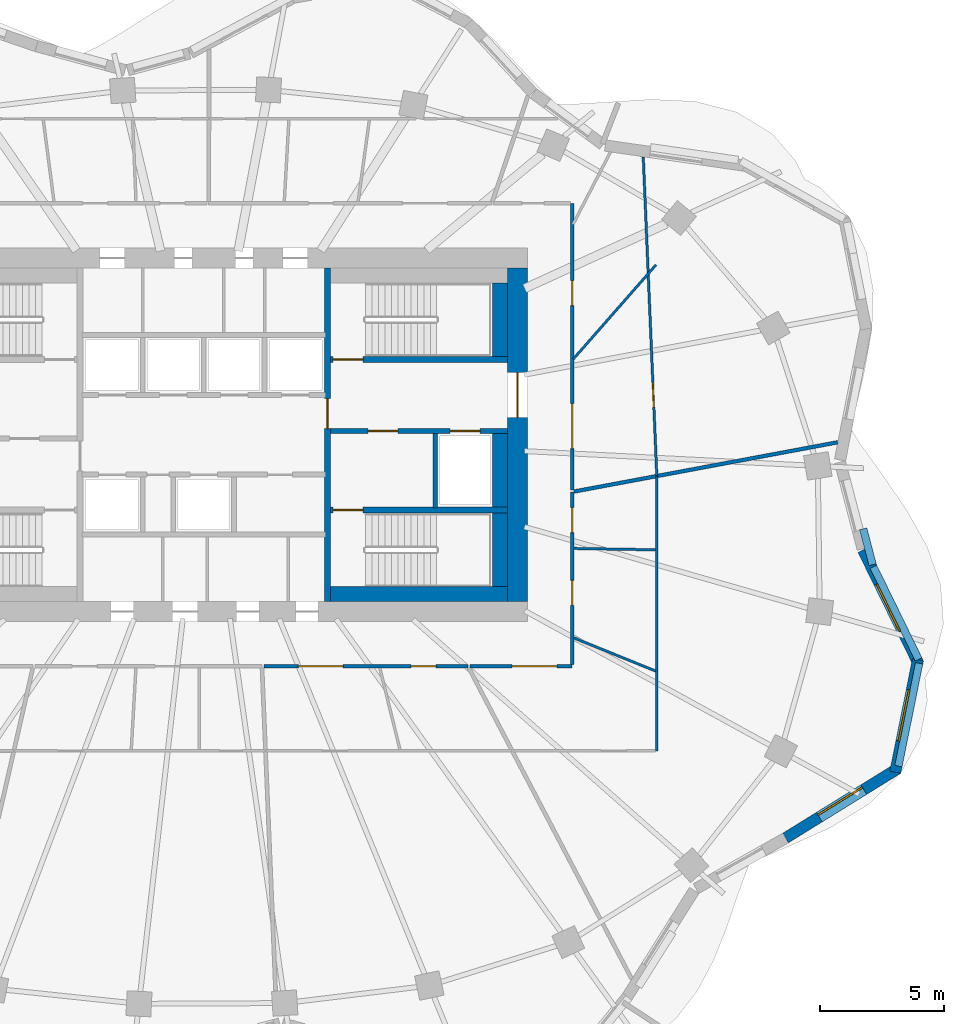
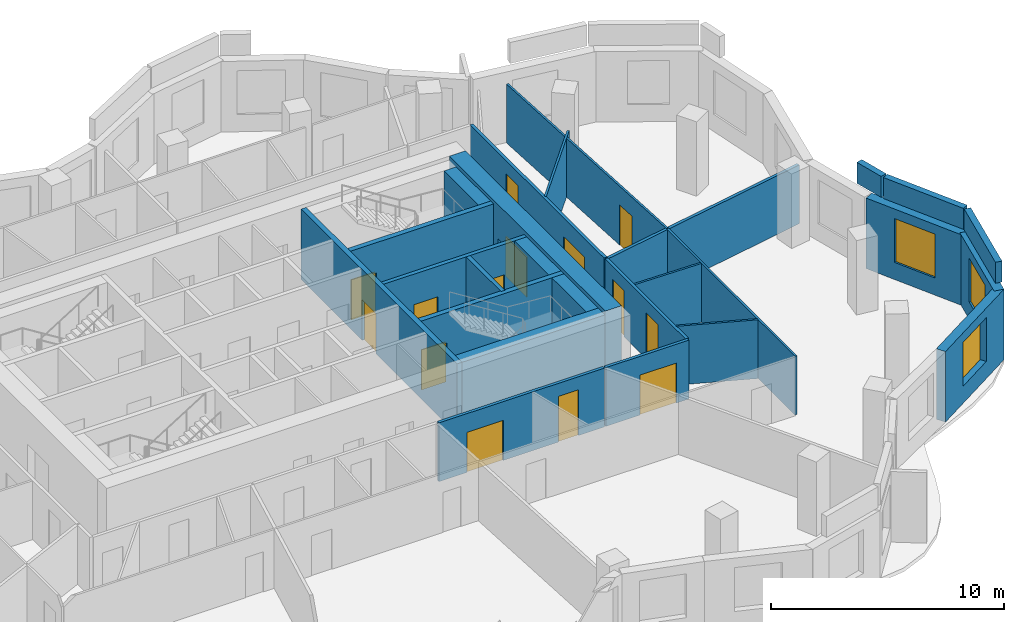
# One storey, part 6 of 10: 26 walls, 14 doors, 3 windows, 17 openings.
"""IFC4 building model written with IfcOpenShell, lengths in metres."""

from ifc_helpers import new_model, si_unit, direction, frame, frame_2d, origin, place, context, subcontext, project, spatial, rectangle, extrude, material, layer, layer_set, type_object, element, fill, save


model = new_model("IFC4")

# Units and contexts
model_context = context("Model", 3, precision=1e-05, world=origin(), true_north=direction((0.0, 1.0)))
body_context = subcontext(model_context, "Body", "Model", "MODEL_VIEW")
ifc_project = project(units=[si_unit("LENGTHUNIT", "METRE"), si_unit("AREAUNIT", "SQUARE_METRE"), si_unit("VOLUMEUNIT", "CUBIC_METRE"), si_unit("PLANEANGLEUNIT", "RADIAN"), si_unit("MASSUNIT", "GRAM", prefix="KILO")], contexts=[model_context])

# Site, building, storey
site_placement = place(None, origin())
site = spatial("IfcSite", under=ifc_project, at=site_placement, CompositionType="ELEMENT")
building_placement = place(site_placement, origin())
building = spatial("IfcBuilding", under=site, at=building_placement, Name="Rubra Terraces Tower", CompositionType="ELEMENT")
storey_placement = place(building_placement, frame((0.0, 0.0, 256.5)))
storey = spatial("IfcBuildingStorey", under=building, at=storey_placement, Name="L63", CompositionType="ELEMENT", Elevation=256.5)

# Wall, opening, window
ifc_material_1 = material(Name="Brick masonry red-brown", Category="masonry")
ifc_layer_1 = layer(ifc_material_1, 0.449951171875)
ifc_layer_set_1 = layer_set([ifc_layer_1], Name="Brick masonry red-brown")
wall_type_1 = type_object("IfcWallType", Name="Brick facade wall 450", PredefinedType="SOLIDWALL", material=ifc_layer_set_1)
wall_1_placement = place(storey_placement, frame((23.368408203125, -11.700927734375, 0.0), z_axis=(0.0, 0.0, 1.0), x_axis=(0.850251408633, 0.526376806211, 0.0)))
wall_1 = element("IfcWall", 1, at=wall_1_placement, inside=storey, type_object=wall_type_1, Name="Facade wall L63 bay 38", PredefinedType="SOLIDWALL", context=body_context, shape_type="SweptSolid", body=[
    extrude(rectangle(XDim=5.30224609375, YDim=0.449951171875, at=frame_2d((2.651123046875, 0.0))), origin(), (0.0, 0.0, 1.0), 3.699951171875),
])
opening_1_placement = place(wall_1_placement, frame((1.601318359375, 0.0, 0.89990234375)))
opening_1 = element("IfcOpeningElement", 2, at=opening_1_placement, cuts=wall_1, Name="Opening W1B", PredefinedType="OPENING", context=body_context, shape_type="SweptSolid", body=[
    extrude(rectangle(XDim=2.10009765625, YDim=2.300048828125, at=frame_2d((1.050048828125, 1.14990234375))), frame((0.0, 0.23486328125, 0.0), z_axis=(0.0, -1.0, 0.0), x_axis=(1.0, 0.0, 0.0)), (0.0, 0.0, 1.0), 0.469970703125),
])
ifc_material_2 = material(Name="Clear glass in aluminium frame", Category="aluminium")
window_type = type_object("IfcWindowType", Name="Fixed deep-set window tall storey 2100 x 2300", PartitioningType="SINGLE_PANEL", PredefinedType="WINDOW", material=ifc_material_2)
window_1_placement = place(opening_1_placement, origin())
window_1 = element("IfcWindow", 3, at=window_1_placement, inside=storey, type_object=window_type, Name="Window L63 bay 38", OverallHeight=2.300048828125, OverallWidth=2.10009765625, PartitioningType="SINGLE_PANEL", PredefinedType="WINDOW", context=body_context, shape_type="SweptSolid", body=[
    extrude(rectangle(XDim=2.10009765625, YDim=2.300048828125, at=frame_2d((1.050048828125, 1.14990234375))), frame((0.0, 0.135009765625, 0.0), z_axis=(0.0, -1.0, 0.0), x_axis=(1.0, 0.0, 0.0)), (0.0, 0.0, 1.0), 0.06005859375),
])
fill(opening_1, window_1)

wall_2_placement = place(storey_placement, frame((27.779541015625, -9.053466796875, 0.0), z_axis=(0.0, 0.0, 1.0), x_axis=(0.197796229105, 0.980243159503, 0.0)))
wall_2 = element("IfcWall", 4, at=wall_2_placement, inside=storey, type_object=wall_type_1, Name="Facade wall L63 bay 39", PredefinedType="SOLIDWALL", context=body_context, shape_type="SweptSolid", body=[
    extrude(rectangle(XDim=4.610107421875, YDim=0.449951171875, at=frame_2d((2.30517578125, 0.0))), origin(), (0.0, 0.0, 1.0), 3.699951171875),
])
opening_2_placement = place(wall_2_placement, frame((1.255126953125, 0.0, 0.89990234375)))
opening_2 = element("IfcOpeningElement", 5, at=opening_2_placement, cuts=wall_2, Name="Opening W1B", PredefinedType="OPENING", context=body_context, shape_type="SweptSolid", body=[
    extrude(rectangle(XDim=2.10009765625, YDim=2.300048828125, at=frame_2d((1.050048828125, 1.14990234375))), frame((0.0, 0.23486328125, 0.0), z_axis=(0.0, -1.0, 0.0), x_axis=(1.0, 0.0, 0.0)), (0.0, 0.0, 1.0), 0.469970703125),
])
window_2_placement = place(opening_2_placement, origin())
window_2 = element("IfcWindow", 6, at=window_2_placement, inside=storey, type_object=window_type, Name="Window L63 bay 39", OverallHeight=2.300048828125, OverallWidth=2.10009765625, PartitioningType="SINGLE_PANEL", PredefinedType="WINDOW", context=body_context, shape_type="SweptSolid", body=[
    extrude(rectangle(XDim=2.10009765625, YDim=2.300048828125, at=frame_2d((1.050048828125, 1.14990234375))), frame((0.0, 0.135009765625, 0.0), z_axis=(0.0, -1.0, 0.0), x_axis=(1.0, 0.0, 0.0)), (0.0, 0.0, 1.0), 0.06005859375),
])
fill(opening_2, window_2)

wall_3_placement = place(storey_placement, frame((28.70703125, -4.672119140625, 0.0), z_axis=(0.0, 0.0, 1.0), x_axis=(-0.439053549989, 0.898460895221, 0.0)))
wall_3 = element("IfcWall", 7, at=wall_3_placement, inside=storey, type_object=wall_type_1, Name="Facade wall L63 bay 40", PredefinedType="SOLIDWALL", context=body_context, shape_type="SweptSolid", body=[
    extrude(rectangle(XDim=5.061767578125, YDim=0.449951171875, at=frame_2d((2.53076171875, 0.0))), origin(), (0.0, 0.0, 1.0), 3.699951171875),
])
opening_3_placement = place(wall_3_placement, frame((1.48095703125, 0.0, 0.89990234375)))
opening_3 = element("IfcOpeningElement", 8, at=opening_3_placement, cuts=wall_3, Name="Opening W1B", PredefinedType="OPENING", context=body_context, shape_type="SweptSolid", body=[
    extrude(rectangle(XDim=2.10009765625, YDim=2.300048828125, at=frame_2d((1.050048828125, 1.14990234375))), frame((0.0, 0.23486328125, 0.0), z_axis=(0.0, -1.0, 0.0), x_axis=(1.0, 0.0, 0.0)), (0.0, 0.0, 1.0), 0.469970703125),
])
window_3_placement = place(opening_3_placement, origin())
window_3 = element("IfcWindow", 9, at=window_3_placement, inside=storey, type_object=window_type, Name="Window L63 bay 40", OverallHeight=2.300048828125, OverallWidth=2.10009765625, PartitioningType="SINGLE_PANEL", PredefinedType="WINDOW", context=body_context, shape_type="SweptSolid", body=[
    extrude(rectangle(XDim=2.10009765625, YDim=2.300048828125, at=frame_2d((1.050048828125, 1.14990234375))), frame((0.0, 0.135009765625, 0.0), z_axis=(0.0, -1.0, 0.0), x_axis=(1.0, 0.0, 0.0)), (0.0, 0.0, 1.0), 0.06005859375),
])
fill(opening_3, window_3)

# Walls
ifc_layer_2 = layer(ifc_material_1, 0.300048828125)
ifc_layer_set_2 = layer_set([ifc_layer_2], Name="Brick masonry red-brown")
wall_type_2 = type_object("IfcWallType", Name="Brick parapet 300", PredefinedType="PARAPET", material=ifc_layer_set_2)
wall_4_placement = place(storey_placement, frame((26.869140625, -0.72021484375, 3.89990234375), z_axis=(0.0, 0.0, 1.0), x_axis=(-0.252455198803, 0.967608584396, 0.0)))
element("IfcWall", 10, at=wall_4_placement, inside=storey, type_object=wall_type_2, Name="Parapet L63 bay 1", PredefinedType="PARAPET", context=body_context, shape_type="SweptSolid", body=[
    extrude(rectangle(XDim=1.4921875, YDim=0.300048828125, at=frame_2d((0.74609375, 0.0))), origin(), (0.0, 0.0, 1.0), 1.10009765625),
])
wall_5_placement = place(storey_placement, frame((27.90478515625, -8.8115234375, 3.89990234375), z_axis=(0.0, 0.0, 1.0), x_axis=(0.197841673862, 0.980233988435, 0.0)))
element("IfcWall", 11, at=wall_5_placement, inside=storey, type_object=wall_type_2, Name="Parapet L63 bay 39", PredefinedType="PARAPET", context=body_context, shape_type="SweptSolid", body=[
    extrude(rectangle(XDim=4.216552734375, YDim=0.300048828125, at=frame_2d((2.1083984375, 0.0))), origin(), (0.0, 0.0, 1.0), 1.10009765625),
])
wall_6_placement = place(storey_placement, frame((28.719482421875, -4.5263671875, 3.89990234375), z_axis=(0.0, 0.0, 1.0), x_axis=(-0.439134033243, 0.898421560765, 0.0)))
element("IfcWall", 12, at=wall_6_placement, inside=storey, type_object=wall_type_2, Name="Parapet L63 bay 40", PredefinedType="PARAPET", context=body_context, shape_type="SweptSolid", body=[
    extrude(rectangle(XDim=4.14306640625, YDim=0.300048828125, at=frame_2d((2.071533203125, 0.0))), origin(), (0.0, 0.0, 1.0), 1.10009765625),
])

# Wall, opening, door
ifc_material_3 = material(Name="Concrete C50", Category="concrete")
ifc_layer_3 = layer(ifc_material_3, 0.800048828125)
ifc_layer_set_3 = layer_set([ifc_layer_3], Name="Concrete C50")
wall_type_3 = type_object("IfcWallType", Name="CORE WALL 800 C50", PredefinedType="SHEAR", material=ifc_layer_set_3)
wall_7_placement = place(storey_placement, frame((12.60009765625, -2.199951171875, 0.0), z_axis=(0.0, 0.0, 1.0), x_axis=(0.0, 1.0, 0.0)))
wall_7 = element("IfcWall", 13, at=wall_7_placement, inside=storey, type_object=wall_type_3, Name="CORE WALL E L63", PredefinedType="SHEAR", context=body_context, shape_type="SweptSolid", body=[
    extrude(rectangle(XDim=13.39990234375, YDim=0.800048828125, at=frame_2d((6.699951171875, 0.0))), origin(), (0.0, 0.0, 1.0), 3.89990234375),
])
opening_4_placement = place(wall_7_placement, frame((7.39990234375, 0.0, 0.0)))
opening_4 = element("IfcOpeningElement", 14, at=opening_4_placement, cuts=wall_7, Name="Opening L63.C02", PredefinedType="OPENING", context=body_context, shape_type="SweptSolid", body=[
    extrude(rectangle(XDim=1.800048828125, YDim=2.10009765625, at=frame_2d((0.89990234375, 1.050048828125))), frame((0.0, 0.409912109375, 0.0), z_axis=(0.0, -1.0, 0.0), x_axis=(1.0, 0.0, 0.0)), (0.0, 0.0, 1.0), 0.820068359375),
])
ifc_material_4 = material(Name="Painted steel", Category="steel")
door_type_1 = type_object("IfcDoorType", Name="Fire door 1800x2100 double", OperationType="NOTDEFINED", PredefinedType="DOOR", material=ifc_material_4)
door_1_placement = place(opening_4_placement, origin())
door_1 = element("IfcDoor", 15, at=door_1_placement, inside=storey, type_object=door_type_1, Name="Core entrance door FF2", OperationType="DOUBLE_DOOR_SINGLE_SWING", OverallHeight=2.10009765625, OverallWidth=1.800048828125, PredefinedType="DOOR", context=body_context, shape_type="SweptSolid", body=[
    extrude(rectangle(XDim=1.800048828125, YDim=2.10009765625, at=frame_2d((0.89990234375, 1.050048828125))), frame((0.0, 0.02490234375, 0.0), z_axis=(0.0, -1.0, 0.0), x_axis=(1.0, 0.0, 0.0)), (0.0, 0.0, 1.0), 0.050048828125),
])
fill(opening_4, door_1)

# Wall, openings, doors
ifc_material_5 = material(Name="Plasterboard on steel stud, mineral wool infill", Category="steel")
ifc_layer_4 = layer(ifc_material_5, 0.14990234375)
ifc_layer_set_4 = layer_set([ifc_layer_4], Name="Plasterboard on steel stud, mineral wool infill")
wall_type_4 = type_object("IfcWallType", Name="CORRIDOR PARTITION 150", PredefinedType="PARTITIONING", material=ifc_layer_set_4)
wall_8_placement = place(storey_placement, frame((2.413330078125, -4.800048828125, 0.0), z_axis=(0.0, 0.0, 1.0), x_axis=(1.0, 0.0, 0.0)))
wall_8 = element("IfcWall", 16, at=wall_8_placement, inside=storey, type_object=wall_type_4, Name="PARTITION", PredefinedType="PARTITIONING", context=body_context, shape_type="SweptSolid", body=[
    extrude(rectangle(XDim=8.200439453125, YDim=0.14990234375, at=frame_2d((4.10009765625, 0.0))), origin(), (0.0, 0.0, 1.0), 3.083984375),
])
opening_5_placement = place(wall_8_placement, frame((1.384033203125, 0.0, 0.0)))
opening_5 = element("IfcOpeningElement", 17, at=opening_5_placement, cuts=wall_8, Name="Opening 63-125", PredefinedType="OPENING", context=body_context, shape_type="SweptSolid", body=[
    extrude(rectangle(XDim=1.800048828125, YDim=2.10009765625, at=frame_2d((0.89990234375, 1.050048828125))), frame((0.0, 0.0849609375, 0.0), z_axis=(0.0, -1.0, 0.0), x_axis=(1.0, 0.0, 0.0)), (0.0, 0.0, 1.0), 0.169921875),
])
opening_6_placement = place(wall_8_placement, frame((5.922119140625, 0.0, 0.0)))
opening_6 = element("IfcOpeningElement", 18, at=opening_6_placement, cuts=wall_8, Name="Opening 63-127", PredefinedType="OPENING", context=body_context, shape_type="SweptSolid", body=[
    extrude(rectangle(XDim=1.0, YDim=2.39990234375, at=frame_2d((0.5, 1.199951171875))), frame((0.0, 0.0849609375, 0.0), z_axis=(0.0, -1.0, 0.0), x_axis=(1.0, 0.0, 0.0)), (0.0, 0.0, 1.0), 0.169921875),
])
ifc_material_6 = material(Name="Glazed aluminium meeting door leaf", Category="aluminium")
door_type_2 = type_object("IfcDoorType", Name="MEETING ROOM GLAZED DOOR 1000 X 2400", OperationType="SINGLE_SWING_LEFT", PredefinedType="DOOR", material=ifc_material_6)
door_2_placement = place(opening_6_placement, origin())
door_2 = element("IfcDoor", 19, at=door_2_placement, inside=storey, type_object=door_type_2, Name="DOOR 63-127", OperationType="SINGLE_SWING_RIGHT", OverallHeight=2.39990234375, OverallWidth=1.0, PredefinedType="DOOR", context=body_context, shape_type="SweptSolid", body=[
    extrude(rectangle(XDim=1.0, YDim=2.39990234375, at=frame_2d((0.5, 1.199951171875))), frame((0.0, 0.02490234375, 0.0), z_axis=(0.0, -1.0, 0.0), x_axis=(1.0, 0.0, 0.0)), (0.0, 0.0, 1.0), 0.050048828125),
])
fill(opening_6, door_2)
ifc_material_7 = material(Name="Painted timber door leaf, double", Category="wood")
door_type_3 = type_object("IfcDoorType", Name="ROOM DOUBLE DOOR 1800 X 2100", OperationType="DOUBLE_DOOR_SINGLE_SWING", PredefinedType="DOOR", material=ifc_material_7)
door_3_placement = place(opening_5_placement, origin())
door_3 = element("IfcDoor", 20, at=door_3_placement, inside=storey, type_object=door_type_3, Name="DOOR 63-125", OperationType="DOUBLE_DOOR_SINGLE_SWING", OverallHeight=2.10009765625, OverallWidth=1.800048828125, PredefinedType="DOOR", context=body_context, shape_type="SweptSolid", body=[
    extrude(rectangle(XDim=1.800048828125, YDim=2.10009765625, at=frame_2d((0.89990234375, 1.050048828125))), frame((0.0, 0.02490234375, 0.0), z_axis=(0.0, -1.0, 0.0), x_axis=(1.0, 0.0, 0.0)), (0.0, 0.0, 1.0), 0.050048828125),
])
fill(opening_5, door_3)

# Wall, opening, door
wall_9_placement = place(storey_placement, frame((10.688720703125, -4.800048828125, 0.0), z_axis=(0.0, 0.0, 1.0), x_axis=(1.0, 0.0, 0.0)))
wall_9 = element("IfcWall", 21, at=wall_9_placement, inside=storey, type_object=wall_type_4, Name="PARTITION", PredefinedType="PARTITIONING", context=body_context, shape_type="SweptSolid", body=[
    extrude(rectangle(XDim=4.111328125, YDim=0.14990234375, at=frame_2d((2.0556640625, 0.0))), origin(), (0.0, 0.0, 1.0), 3.083984375),
])
opening_7_placement = place(wall_9_placement, frame((1.701904296875, 0.0, 0.0)))
opening_7 = element("IfcOpeningElement", 22, at=opening_7_placement, cuts=wall_9, Name="Opening 63-128", PredefinedType="OPENING", context=body_context, shape_type="SweptSolid", body=[
    extrude(rectangle(XDim=1.800048828125, YDim=2.10009765625, at=frame_2d((0.89990234375, 1.050048828125))), frame((0.0, 0.0849609375, 0.0), z_axis=(0.0, -1.0, 0.0), x_axis=(1.0, 0.0, 0.0)), (0.0, 0.0, 1.0), 0.169921875),
])
door_4_placement = place(opening_7_placement, origin())
door_4 = element("IfcDoor", 23, at=door_4_placement, inside=storey, type_object=door_type_3, Name="DOOR 63-128", OperationType="DOUBLE_DOOR_SINGLE_SWING", OverallHeight=2.10009765625, OverallWidth=1.800048828125, PredefinedType="DOOR", context=body_context, shape_type="SweptSolid", body=[
    extrude(rectangle(XDim=1.800048828125, YDim=2.10009765625, at=frame_2d((0.89990234375, 1.050048828125))), frame((0.0, 0.02490234375, 0.0), z_axis=(0.0, -1.0, 0.0), x_axis=(1.0, 0.0, 0.0)), (0.0, 0.0, 1.0), 0.050048828125),
])
fill(opening_7, door_4)

# Wall, openings, doors
wall_10_placement = place(storey_placement, frame((14.800048828125, -4.72509765625, 0.0), z_axis=(0.0, 0.0, 1.0), x_axis=(0.0, 1.0, 0.0)))
wall_10 = element("IfcWall", 24, at=wall_10_placement, inside=storey, type_object=wall_type_4, Name="PARTITION", PredefinedType="PARTITIONING", context=body_context, shape_type="SweptSolid", body=[
    extrude(rectangle(XDim=6.931640625, YDim=0.14990234375, at=frame_2d((3.4658203125, 0.0))), origin(), (0.0, 0.0, 1.0), 3.083984375),
])
opening_8_placement = place(wall_10_placement, frame((2.376953125, 0.0, 0.0)))
opening_8 = element("IfcOpeningElement", 25, at=opening_8_placement, cuts=wall_10, Name="Opening 63-130", PredefinedType="OPENING", context=body_context, shape_type="SweptSolid", body=[
    extrude(rectangle(XDim=1.0, YDim=2.39990234375, at=frame_2d((0.5, 1.199951171875))), frame((0.0, 0.0849609375, 0.0), z_axis=(0.0, -1.0, 0.0), x_axis=(1.0, 0.0, 0.0)), (0.0, 0.0, 1.0), 0.169921875),
])
opening_9_placement = place(wall_10_placement, frame((5.2958984375, 0.0, 0.0)))
opening_9 = element("IfcOpeningElement", 26, at=opening_9_placement, cuts=wall_10, Name="Opening 63-131", PredefinedType="OPENING", context=body_context, shape_type="SweptSolid", body=[
    extrude(rectangle(XDim=1.0, YDim=2.39990234375, at=frame_2d((0.5, 1.199951171875))), frame((0.0, 0.0849609375, 0.0), z_axis=(0.0, -1.0, 0.0), x_axis=(1.0, 0.0, 0.0)), (0.0, 0.0, 1.0), 0.169921875),
])
door_5_placement = place(opening_8_placement, origin())
door_5 = element("IfcDoor", 27, at=door_5_placement, inside=storey, type_object=door_type_2, Name="DOOR 63-130", OperationType="SINGLE_SWING_RIGHT", OverallHeight=2.39990234375, OverallWidth=1.0, PredefinedType="DOOR", context=body_context, shape_type="SweptSolid", body=[
    extrude(rectangle(XDim=1.0, YDim=2.39990234375, at=frame_2d((0.5, 1.199951171875))), frame((0.0, 0.02490234375, 0.0), z_axis=(0.0, -1.0, 0.0), x_axis=(1.0, 0.0, 0.0)), (0.0, 0.0, 1.0), 0.050048828125),
])
fill(opening_8, door_5)
door_6_placement = place(opening_9_placement, origin())
door_6 = element("IfcDoor", 28, at=door_6_placement, inside=storey, type_object=door_type_2, Name="DOOR 63-131", OperationType="SINGLE_SWING_RIGHT", OverallHeight=2.39990234375, OverallWidth=1.0, PredefinedType="DOOR", context=body_context, shape_type="SweptSolid", body=[
    extrude(rectangle(XDim=1.0, YDim=2.39990234375, at=frame_2d((0.5, 1.199951171875))), frame((0.0, 0.02490234375, 0.0), z_axis=(0.0, -1.0, 0.0), x_axis=(1.0, 0.0, 0.0)), (0.0, 0.0, 1.0), 0.050048828125),
])
fill(opening_9, door_6)

wall_11_placement = place(storey_placement, frame((14.800048828125, 2.281494140625, 0.0), z_axis=(0.0, 0.0, 1.0), x_axis=(0.0, 1.0, 0.0)))
wall_11 = element("IfcWall", 29, at=wall_11_placement, inside=storey, type_object=wall_type_4, Name="PARTITION", PredefinedType="PARTITIONING", context=body_context, shape_type="SweptSolid", body=[
    extrude(rectangle(XDim=11.5185546875, YDim=0.14990234375, at=frame_2d((5.75927734375, 0.0))), origin(), (0.0, 0.0, 1.0), 3.083984375),
])
opening_10_placement = place(wall_11_placement, frame((1.6669921875, 0.0, 0.0)))
opening_10 = element("IfcOpeningElement", 30, at=opening_10_placement, cuts=wall_11, Name="Opening 63-132", PredefinedType="OPENING", context=body_context, shape_type="SweptSolid", body=[
    extrude(rectangle(XDim=1.800048828125, YDim=2.10009765625, at=frame_2d((0.89990234375, 1.050048828125))), frame((0.0, 0.0849609375, 0.0), z_axis=(0.0, -1.0, 0.0), x_axis=(1.0, 0.0, 0.0)), (0.0, 0.0, 1.0), 0.169921875),
])
opening_11_placement = place(wall_11_placement, frame((7.407958984375, 0.0, 0.0)))
opening_11 = element("IfcOpeningElement", 31, at=opening_11_placement, cuts=wall_11, Name="Opening 63-134", PredefinedType="OPENING", context=body_context, shape_type="SweptSolid", body=[
    extrude(rectangle(XDim=1.0, YDim=2.39990234375, at=frame_2d((0.5, 1.199951171875))), frame((0.0, 0.0849609375, 0.0), z_axis=(0.0, -1.0, 0.0), x_axis=(1.0, 0.0, 0.0)), (0.0, 0.0, 1.0), 0.169921875),
])
door_7_placement = place(opening_11_placement, origin())
door_7 = element("IfcDoor", 32, at=door_7_placement, inside=storey, type_object=door_type_2, Name="DOOR 63-134", OperationType="SINGLE_SWING_RIGHT", OverallHeight=2.39990234375, OverallWidth=1.0, PredefinedType="DOOR", context=body_context, shape_type="SweptSolid", body=[
    extrude(rectangle(XDim=1.0, YDim=2.39990234375, at=frame_2d((0.5, 1.199951171875))), frame((0.0, 0.02490234375, 0.0), z_axis=(0.0, -1.0, 0.0), x_axis=(1.0, 0.0, 0.0)), (0.0, 0.0, 1.0), 0.050048828125),
])
fill(opening_11, door_7)
door_8_placement = place(opening_10_placement, origin())
door_8 = element("IfcDoor", 33, at=door_8_placement, inside=storey, type_object=door_type_3, Name="DOOR 63-132", OperationType="DOUBLE_DOOR_SINGLE_SWING", OverallHeight=2.10009765625, OverallWidth=1.800048828125, PredefinedType="DOOR", context=body_context, shape_type="SweptSolid", body=[
    extrude(rectangle(XDim=1.800048828125, YDim=2.10009765625, at=frame_2d((0.89990234375, 1.050048828125))), frame((0.0, 0.02490234375, 0.0), z_axis=(0.0, -1.0, 0.0), x_axis=(1.0, 0.0, 0.0)), (0.0, 0.0, 1.0), 0.050048828125),
])
fill(opening_10, door_8)

# Walls
ifc_material_8 = material(Name="Concrete C40", Category="concrete")
ifc_layer_5 = layer(ifc_material_8, 0.60009765625)
ifc_layer_set_5 = layer_set([ifc_layer_5], Name="Concrete C40")
wall_type_5 = type_object("IfcWallType", Name="Core lining wall 600 concrete", PredefinedType="SOLIDWALL", material=ifc_layer_set_5)
wall_12_placement = place(storey_placement, frame((11.89990234375, 10.60009765625, 0.0), z_axis=(0.0, 0.0, 1.0), x_axis=(0.0, -1.0, 0.0)))
element("IfcWall", 34, at=wall_12_placement, inside=storey, type_object=wall_type_5, Name="CORE LINING WALL L63", PredefinedType="SOLIDWALL", context=body_context, shape_type="SweptSolid", body=[
    extrude(rectangle(XDim=2.9501953125, YDim=0.60009765625, at=frame_2d((1.47509765625, 0.0))), origin(), (0.0, 0.0, 1.0), 3.699951171875),
])
wall_13_placement = place(storey_placement, frame((11.89990234375, 4.550048828125, 0.0), z_axis=(0.0, 0.0, 1.0), x_axis=(0.0, -1.0, 0.0)))
element("IfcWall", 35, at=wall_13_placement, inside=storey, type_object=wall_type_5, Name="CORE LINING WALL L63", PredefinedType="SOLIDWALL", context=body_context, shape_type="SweptSolid", body=[
    extrude(rectangle(XDim=3.0, YDim=0.60009765625, at=frame_2d((1.5, 0.0))), origin(), (0.0, 0.0, 1.0), 3.699951171875),
])
wall_14_placement = place(storey_placement, frame((11.89990234375, 1.35009765625, 0.0), z_axis=(0.0, 0.0, 1.0), x_axis=(0.0, -1.0, 0.0)))
element("IfcWall", 36, at=wall_14_placement, inside=storey, type_object=wall_type_5, Name="CORE LINING WALL L63", PredefinedType="SOLIDWALL", context=body_context, shape_type="SweptSolid", body=[
    extrude(rectangle(XDim=2.9501953125, YDim=0.60009765625, at=frame_2d((1.47509765625, 0.0))), origin(), (0.0, 0.0, 1.0), 3.699951171875),
])
wall_15_placement = place(storey_placement, frame((12.199951171875, -1.89990234375, 0.0), z_axis=(0.0, 0.0, 1.0), x_axis=(-1.0, 0.0, 0.0)))
element("IfcWall", 37, at=wall_15_placement, inside=storey, type_object=wall_type_5, Name="CORE LINING WALL L63", PredefinedType="SOLIDWALL", context=body_context, shape_type="SweptSolid", body=[
    extrude(rectangle(XDim=7.099853515625, YDim=0.60009765625, at=frame_2d((3.5498046875, 0.0))), origin(), (0.0, 0.0, 1.0), 3.699951171875),
])

# Wall, openings, doors
ifc_material_9 = material(Name="Concrete C30", Category="concrete")
ifc_layer_6 = layer(ifc_material_9, 0.199951171875)
ifc_layer_set_6 = layer_set([ifc_layer_6], Name="Concrete C30")
wall_type_6 = type_object("IfcWallType", Name="Core wall 200 concrete", PredefinedType="SOLIDWALL", material=ifc_layer_set_6)
wall_16_placement = place(storey_placement, frame((12.199951171875, 4.64990234375, 0.0), z_axis=(0.0, 0.0, 1.0), x_axis=(-1.0, 0.0, 0.0)))
wall_16 = element("IfcWall", 38, at=wall_16_placement, inside=storey, type_object=wall_type_6, Name="STAIR WALL L63", PredefinedType="SOLIDWALL", context=body_context, shape_type="SweptSolid", body=[
    extrude(rectangle(XDim=7.099853515625, YDim=0.199951171875, at=frame_2d((3.5498046875, 0.0))), origin(), (0.0, 0.0, 1.0), 3.699951171875),
])
opening_12_placement = place(wall_16_placement, frame((4.39990234375, 0.0, 0.0)))
opening_12 = element("IfcOpeningElement", 39, at=opening_12_placement, cuts=wall_16, Name="Opening L63.C06", PredefinedType="OPENING", context=body_context, shape_type="SweptSolid", body=[
    extrude(rectangle(XDim=1.199951171875, YDim=2.10009765625, at=frame_2d((0.60009765625, 1.050048828125))), frame((0.0, 0.10986328125, 0.0), z_axis=(0.0, -1.0, 0.0), x_axis=(1.0, 0.0, 0.0)), (0.0, 0.0, 1.0), 0.219970703125),
])
opening_13_placement = place(wall_16_placement, frame((1.10009765625, 0.0, 0.0)))
opening_13 = element("IfcOpeningElement", 40, at=opening_13_placement, cuts=wall_16, Name="Opening L63.C12", PredefinedType="OPENING", context=body_context, shape_type="SweptSolid", body=[
    extrude(rectangle(XDim=1.199951171875, YDim=2.10009765625, at=frame_2d((0.60009765625, 1.050048828125))), frame((0.0, 0.10986328125, 0.0), z_axis=(0.0, -1.0, 0.0), x_axis=(1.0, 0.0, 0.0)), (0.0, 0.0, 1.0), 0.219970703125),
])
door_type_4 = type_object("IfcDoorType", Name="Fire door 1200x2100 single", OperationType="NOTDEFINED", PredefinedType="DOOR", material=ifc_material_4)
door_9_placement = place(opening_12_placement, origin())
door_9 = element("IfcDoor", 41, at=door_9_placement, inside=storey, type_object=door_type_4, Name="Stair vestibule door S4", OperationType="SINGLE_SWING_RIGHT", OverallHeight=2.10009765625, OverallWidth=1.199951171875, PredefinedType="DOOR", context=body_context, shape_type="SweptSolid", body=[
    extrude(rectangle(XDim=1.199951171875, YDim=2.10009765625, at=frame_2d((0.60009765625, 1.050048828125))), frame((0.0, 0.02490234375, 0.0), z_axis=(0.0, -1.0, 0.0), x_axis=(1.0, 0.0, 0.0)), (0.0, 0.0, 1.0), 0.050048828125),
])
fill(opening_12, door_9)
ifc_material_10 = material(Name="Stainless steel", Category="steel")
door_type_5 = type_object("IfcDoorType", Name="Lift landing door 1200x2100", OperationType="NOTDEFINED", PredefinedType="DOOR", material=ifc_material_10)
door_10_placement = place(opening_13_placement, origin())
door_10 = element("IfcDoor", 42, at=door_10_placement, inside=storey, type_object=door_type_5, Name="Landing door FF2", OperationType="SLIDING_TO_RIGHT", OverallHeight=2.10009765625, OverallWidth=1.199951171875, PredefinedType="DOOR", context=body_context, shape_type="SweptSolid", body=[
    extrude(rectangle(XDim=1.199951171875, YDim=2.10009765625, at=frame_2d((0.60009765625, 1.050048828125))), frame((0.0, 0.02490234375, 0.0), z_axis=(0.0, -1.0, 0.0), x_axis=(1.0, 0.0, 0.0)), (0.0, 0.0, 1.0), 0.050048828125),
])
fill(opening_13, door_10)

# Walls
wall_17_placement = place(storey_placement, frame((9.300048828125, 4.550048828125, 0.0), z_axis=(0.0, 0.0, 1.0), x_axis=(0.0, -1.0, 0.0)))
element("IfcWall", 43, at=wall_17_placement, inside=storey, type_object=wall_type_6, Name="STAIR WALL L63", PredefinedType="SOLIDWALL", context=body_context, shape_type="SweptSolid", body=[
    extrude(rectangle(XDim=3.0, YDim=0.199951171875, at=frame_2d((1.5, 0.0))), origin(), (0.0, 0.0, 1.0), 3.699951171875),
])
ifc_material_11 = material(Name="Plasterboard on steel stud", Category="steel")
ifc_layer_7 = layer(ifc_material_11, 0.10009765625)
ifc_layer_set_7 = layer_set([ifc_layer_7], Name="Plasterboard on steel stud")
wall_type_7 = type_object("IfcWallType", Name="ROOM PARTITION 100", PredefinedType="PARTITIONING", material=ifc_layer_set_7)
wall_18_placement = place(storey_placement, frame((18.199951171875, 2.8212890625, 0.0), z_axis=(0.0, 0.0, 1.0), x_axis=(0.0, -1.0, 0.0)))
element("IfcWall", 44, at=wall_18_placement, inside=storey, type_object=wall_type_7, Name="PARTITION", PredefinedType="PARTITIONING", context=body_context, shape_type="SweptSolid", body=[
    extrude(rectangle(XDim=11.021240234375, YDim=0.10009765625, at=frame_2d((5.5107421875, 0.0))), origin(), (0.0, 0.0, 1.0), 3.083984375),
])
wall_19_placement = place(storey_placement, frame((14.869384765625, -3.659912109375, 0.0), z_axis=(0.0, 0.0, 1.0), x_axis=(0.926809268232, -0.375532395832, 0.0)))
element("IfcWall", 45, at=wall_19_placement, inside=storey, type_object=wall_type_7, Name="PARTITION", PredefinedType="PARTITIONING", context=body_context, shape_type="SweptSolid", body=[
    extrude(rectangle(XDim=3.543701171875, YDim=0.10009765625, at=frame_2d((1.77197265625, 0.0))), origin(), (0.0, 0.0, 1.0), 3.083984375),
])
wall_20_placement = place(storey_placement, frame((14.875, -0.065185546875, 0.0), z_axis=(0.0, 0.0, 1.0), x_axis=(0.999854310099, -0.017069228941, 0.0)))
element("IfcWall", 46, at=wall_20_placement, inside=storey, type_object=wall_type_7, Name="PARTITION", PredefinedType="PARTITIONING", context=body_context, shape_type="SweptSolid", body=[
    extrude(rectangle(XDim=3.275390625, YDim=0.10009765625, at=frame_2d((1.6376953125, 0.0))), origin(), (0.0, 0.0, 1.0), 3.083984375),
])

# Wall, opening, door
wall_21_placement = place(storey_placement, frame((17.656494140625, 15.652099609375, 0.0), z_axis=(0.0, 0.0, 1.0), x_axis=(0.042451532229, -0.999098527379, 0.0)))
wall_21 = element("IfcWall", 47, at=wall_21_placement, inside=storey, type_object=wall_type_7, Name="PARTITION", PredefinedType="PARTITIONING", context=body_context, shape_type="SweptSolid", body=[
    extrude(rectangle(XDim=12.8017578125, YDim=0.10009765625, at=frame_2d((6.40087890625, 0.0))), origin(), (0.0, 0.0, 1.0), 3.083984375),
])
opening_14_placement = place(wall_21_placement, frame((9.06005859375, 0.0, 0.0)))
opening_14 = element("IfcOpeningElement", 48, at=opening_14_placement, cuts=wall_21, Name="Opening 63-133", PredefinedType="OPENING", context=body_context, shape_type="SweptSolid", body=[
    extrude(rectangle(XDim=1.0, YDim=2.10009765625, at=frame_2d((0.5, 1.050048828125))), frame((0.0, 0.06005859375, 0.0), z_axis=(0.0, -1.0, 0.0), x_axis=(1.0, 0.0, 0.0)), (0.0, 0.0, 1.0), 0.1201171875),
])
ifc_material_12 = material(Name="Painted timber door leaf", Category="wood")
door_type_6 = type_object("IfcDoorType", Name="ROOM DOOR 1000 X 2100", OperationType="SINGLE_SWING_LEFT", PredefinedType="DOOR", material=ifc_material_12)
door_11_placement = place(opening_14_placement, origin())
door_11 = element("IfcDoor", 49, at=door_11_placement, inside=storey, type_object=door_type_6, Name="DOOR 63-133", OperationType="SINGLE_SWING_LEFT", OverallHeight=2.10009765625, OverallWidth=1.0, PredefinedType="DOOR", context=body_context, shape_type="SweptSolid", body=[
    extrude(rectangle(XDim=1.0, YDim=2.10009765625, at=frame_2d((0.5, 1.050048828125))), frame((0.0, 0.02490234375, 0.0), z_axis=(0.0, -1.0, 0.0), x_axis=(1.0, 0.0, 0.0)), (0.0, 0.0, 1.0), 0.050048828125),
])
fill(opening_14, door_11)

# Walls
wall_22_placement = place(storey_placement, frame((14.849609375, 7.547119140625, 0.0), z_axis=(0.0, 0.0, 1.0), x_axis=(0.659758375042, 0.751477801776, 0.0)))
element("IfcWall", 50, at=wall_22_placement, inside=storey, type_object=wall_type_7, Name="PARTITION", PredefinedType="PARTITIONING", context=body_context, shape_type="SweptSolid", body=[
    extrude(rectangle(XDim=5.028076171875, YDim=0.10009765625, at=frame_2d((2.51416015625, 0.0))), origin(), (0.0, 0.0, 1.0), 3.083984375),
])
ifc_layer_8 = layer(ifc_material_11, 0.14990234375)
ifc_layer_set_8 = layer_set([ifc_layer_8], Name="Plasterboard on steel stud")
wall_type_8 = type_object("IfcWallType", Name="ROOM PARTITION 150", PredefinedType="PARTITIONING", material=ifc_layer_set_8)
wall_23_placement = place(storey_placement, frame((25.466796875, 4.198974609375, 0.0), z_axis=(0.0, 0.0, 1.0), x_axis=(-0.982996865326, -0.183622337308, 0.0)))
element("IfcWall", 51, at=wall_23_placement, inside=storey, type_object=wall_type_8, Name="PARTITION", PredefinedType="PARTITIONING", context=body_context, shape_type="SweptSolid", body=[
    extrude(rectangle(XDim=10.7763671875, YDim=0.14990234375, at=frame_2d((5.38818359375, 0.0))), origin(), (0.0, 0.0, 1.0), 3.083984375),
])

# Wall, opening, door
ifc_layer_9 = layer(ifc_material_8, 0.25)
ifc_layer_set_9 = layer_set([ifc_layer_9], Name="Concrete C40")
wall_type_9 = type_object("IfcWallType", Name="Stair enclosure wall 250 concrete", PredefinedType="SOLIDWALL", material=ifc_layer_set_9)
wall_24_placement = place(storey_placement, frame((12.199951171875, 7.52490234375, 0.0), z_axis=(0.0, 0.0, 1.0), x_axis=(-1.0, 0.0, 0.0)))
wall_24 = element("IfcWall", 52, at=wall_24_placement, inside=storey, type_object=wall_type_9, Name="STAIR WALL L63", PredefinedType="SOLIDWALL", context=body_context, shape_type="SweptSolid", body=[
    extrude(rectangle(XDim=7.099853515625, YDim=0.25, at=frame_2d((3.5498046875, 0.0))), origin(), (0.0, 0.0, 1.0), 3.699951171875),
])
opening_15_placement = place(wall_24_placement, frame((5.800048828125, 0.0, 0.0)))
opening_15 = element("IfcOpeningElement", 53, at=opening_15_placement, cuts=wall_24, Name="Opening L63.C08", PredefinedType="OPENING", context=body_context, shape_type="SweptSolid", body=[
    extrude(rectangle(XDim=1.199951171875, YDim=2.10009765625, at=frame_2d((0.60009765625, 1.050048828125))), frame((0.0, 0.135009765625, 0.0), z_axis=(0.0, -1.0, 0.0), x_axis=(1.0, 0.0, 0.0)), (0.0, 0.0, 1.0), 0.27001953125),
])
door_12_placement = place(opening_15_placement, origin())
door_12 = element("IfcDoor", 54, at=door_12_placement, inside=storey, type_object=door_type_4, Name="Stair door S3", OperationType="SINGLE_SWING_RIGHT", OverallHeight=2.10009765625, OverallWidth=1.199951171875, PredefinedType="DOOR", context=body_context, shape_type="SweptSolid", body=[
    extrude(rectangle(XDim=1.199951171875, YDim=2.10009765625, at=frame_2d((0.60009765625, 1.050048828125))), frame((0.0, 0.02490234375, 0.0), z_axis=(0.0, -1.0, 0.0), x_axis=(1.0, 0.0, 0.0)), (0.0, 0.0, 1.0), 0.050048828125),
])
fill(opening_15, door_12)

wall_25_placement = place(storey_placement, frame((12.199951171875, 1.47509765625, 0.0), z_axis=(0.0, 0.0, 1.0), x_axis=(-1.0, 0.0, 0.0)))
wall_25 = element("IfcWall", 55, at=wall_25_placement, inside=storey, type_object=wall_type_9, Name="STAIR WALL L63", PredefinedType="SOLIDWALL", context=body_context, shape_type="SweptSolid", body=[
    extrude(rectangle(XDim=7.099853515625, YDim=0.25, at=frame_2d((3.5498046875, 0.0))), origin(), (0.0, 0.0, 1.0), 3.699951171875),
])
opening_16_placement = place(wall_25_placement, frame((5.800048828125, 0.0, 0.0)))
opening_16 = element("IfcOpeningElement", 56, at=opening_16_placement, cuts=wall_25, Name="Opening L63.C10", PredefinedType="OPENING", context=body_context, shape_type="SweptSolid", body=[
    extrude(rectangle(XDim=1.199951171875, YDim=2.10009765625, at=frame_2d((0.60009765625, 1.050048828125))), frame((0.0, 0.135009765625, 0.0), z_axis=(0.0, -1.0, 0.0), x_axis=(1.0, 0.0, 0.0)), (0.0, 0.0, 1.0), 0.27001953125),
])
door_13_placement = place(opening_16_placement, origin())
door_13 = element("IfcDoor", 57, at=door_13_placement, inside=storey, type_object=door_type_4, Name="Stair door S4", OperationType="SINGLE_SWING_RIGHT", OverallHeight=2.10009765625, OverallWidth=1.199951171875, PredefinedType="DOOR", context=body_context, shape_type="SweptSolid", body=[
    extrude(rectangle(XDim=1.199951171875, YDim=2.10009765625, at=frame_2d((0.60009765625, 1.050048828125))), frame((0.0, 0.02490234375, 0.0), z_axis=(0.0, -1.0, 0.0), x_axis=(1.0, 0.0, 0.0)), (0.0, 0.0, 1.0), 0.050048828125),
])
fill(opening_16, door_13)

wall_26_placement = place(storey_placement, frame((4.97509765625, 11.199951171875, 0.0), z_axis=(0.0, 0.0, 1.0), x_axis=(0.0, -1.0, 0.0)))
wall_26 = element("IfcWall", 58, at=wall_26_placement, inside=storey, type_object=wall_type_9, Name="CORE LOBBY WALL L63", PredefinedType="SOLIDWALL", context=body_context, shape_type="SweptSolid", body=[
    extrude(rectangle(XDim=13.39990234375, YDim=0.25, at=frame_2d((6.699951171875, 0.0))), origin(), (0.0, 0.0, 1.0), 3.699951171875),
])
opening_17_placement = place(wall_26_placement, frame((5.25, 0.0, 0.0)))
opening_17 = element("IfcOpeningElement", 59, at=opening_17_placement, cuts=wall_26, Name="Opening L63.C04", PredefinedType="OPENING", context=body_context, shape_type="SweptSolid", body=[
    extrude(rectangle(XDim=1.199951171875, YDim=2.10009765625, at=frame_2d((0.60009765625, 1.050048828125))), frame((0.0, 0.135009765625, 0.0), z_axis=(0.0, -1.0, 0.0), x_axis=(1.0, 0.0, 0.0)), (0.0, 0.0, 1.0), 0.27001953125),
])
door_14_placement = place(opening_17_placement, origin())
door_14 = element("IfcDoor", 60, at=door_14_placement, inside=storey, type_object=door_type_4, Name="Firefighting lobby door FF2", OperationType="SINGLE_SWING_RIGHT", OverallHeight=2.10009765625, OverallWidth=1.199951171875, PredefinedType="DOOR", context=body_context, shape_type="SweptSolid", body=[
    extrude(rectangle(XDim=1.199951171875, YDim=2.10009765625, at=frame_2d((0.60009765625, 1.050048828125))), frame((0.0, 0.02490234375, 0.0), z_axis=(0.0, -1.0, 0.0), x_axis=(1.0, 0.0, 0.0)), (0.0, 0.0, 1.0), 0.050048828125),
])
fill(opening_17, door_14)

save(model, "model.ifc")
